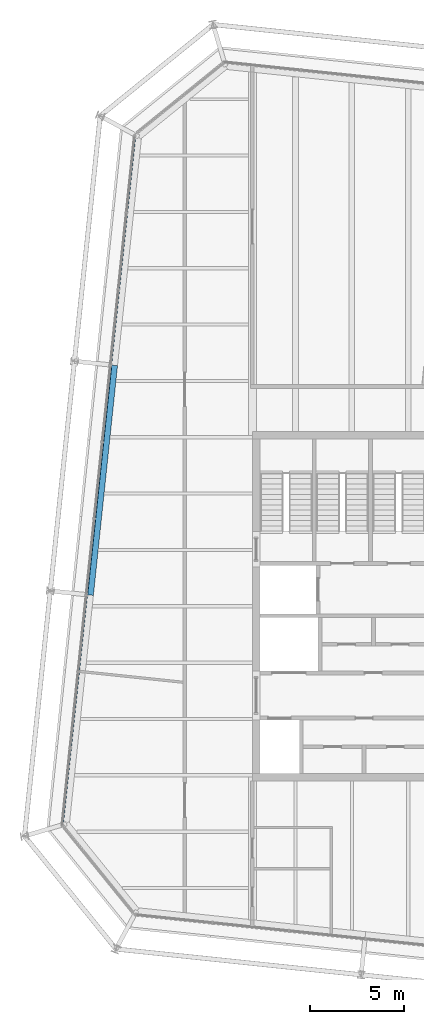
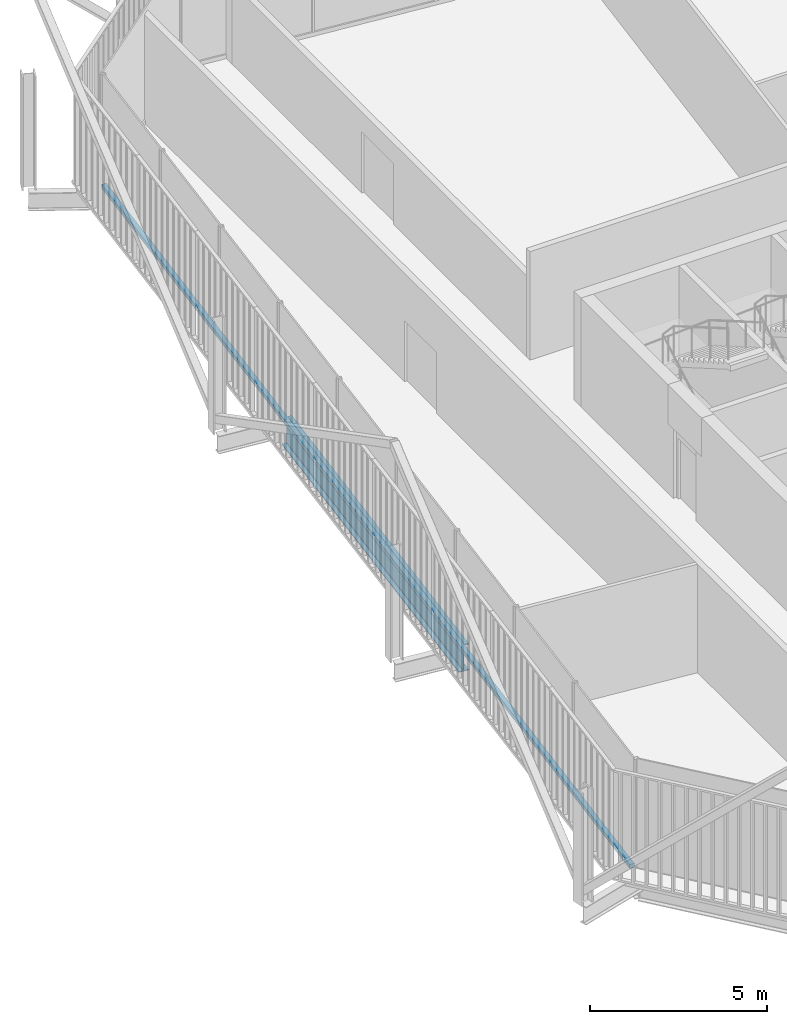
# One storey, part 7 of 21: 1 beam, 1 member, 1 element without a shape of its own.
"""IFC4 building model written with IfcOpenShell, lengths in metres."""

import ifcopenshell
import ifcopenshell.guid

model = None  # the IFC model being written
_history = None  # IfcOwnerHistory: only IFC2X3 demands one
_inside = {}  # id of a spatial element -> (the spatial element, [elements in it])
_under = {}  # id of a project, library or spatial element -> (it, [spatial elements below it])
_declared = {}  # id of a project -> (the project, [libraries it declares])
_typed = {}  # id of a type object -> (the type object, [elements of that type])
_made_of = {}  # id of a material, layer set ... -> (it, [elements and type objects made of it])


def new_model(schema):
    """Start an empty IFC model of exactly this schema.

    Asked for "IFC4X3", IfcOpenShell would pick the latest addendum, in which some entities
    have other attributes; the version numbers below select the first issue.
    IFC2X3 requires an IfcOwnerHistory on every rooted entity: one is made here for all.
    """
    global model, _history
    if schema == "IFC4X3":
        model = ifcopenshell.file(schema_version=(4, 3, 0, 0))
    else:
        model = ifcopenshell.file(schema=schema)
    _inside.clear()
    _under.clear()
    _declared.clear()
    _typed.clear()
    _made_of.clear()
    _history = None
    if model.schema == "IFC2X3":
        org = make("IfcOrganization", Name="unknown")
        user = make(
            "IfcPersonAndOrganization",
            ThePerson=make("IfcPerson", FamilyName="unknown"),
            TheOrganization=org,
        )
        app = make(
            "IfcApplication",
            ApplicationDeveloper=org,
            Version="unknown",
            ApplicationFullName="unknown",
            ApplicationIdentifier="unknown",
        )
        _history = make(
            "IfcOwnerHistory",
            OwningUser=user,
            OwningApplication=app,
            ChangeAction="ADDED",
            CreationDate=0,
        )
    return model


def make(cls, **values):
    """One entity of the class cls with the attributes given. An attribute that is None is left unset."""
    return model.create_entity(
        cls, **{name: value for name, value in values.items() if value is not None}
    )


def rooted(cls, **values):
    """An entity with a GlobalId (a new one), such as an element, a storey or a relation."""
    return make(cls, GlobalId=ifcopenshell.guid.new(), OwnerHistory=_history, **values)


def si_unit(unit_type, name, prefix=None):
    """IfcSIUnit, for example si_unit("LENGTHUNIT", "METRE", prefix="MILLI")."""
    return make("IfcSIUnit", UnitType=unit_type, Prefix=prefix, Name=name)


def assignment(units):
    """IfcUnitAssignment: the units of a project."""
    return None if units is None else make("IfcUnitAssignment", Units=units)


def point(xyz):
    """IfcCartesianPoint."""
    return None if xyz is None else make("IfcCartesianPoint", Coordinates=xyz)


def direction(xyz):
    """IfcDirection."""
    return None if xyz is None else make("IfcDirection", DirectionRatios=xyz)


def frame(location, z_axis=None, x_axis=None):
    """IfcAxis2Placement3D, a coordinate frame: its origin and axes. An axis left out is left unset."""
    return make(
        "IfcAxis2Placement3D",
        Location=point(location),
        Axis=direction(z_axis),
        RefDirection=direction(x_axis),
    )


def frame_2d(location, x_axis=None):
    """IfcAxis2Placement2D, a coordinate frame in the plane: its origin and x axis."""
    return make(
        "IfcAxis2Placement2D", Location=point(location), RefDirection=direction(x_axis)
    )


def origin():
    """The frame at (0, 0, 0) with its axes left unset."""
    return frame((0.0, 0.0, 0.0))


def origin_2d():
    """The frame at (0, 0) in the plane with its x axis left unset."""
    return frame_2d((0.0, 0.0))


def place(relative_to, where):
    """IfcLocalPlacement: puts the frame where relative to a parent placement (None: the world)."""
    return make(
        "IfcLocalPlacement", PlacementRelTo=relative_to, RelativePlacement=where
    )


def context(
    kind, dimensions, precision=None, world=None, true_north=None, identifier=None
):
    """IfcGeometricRepresentationContext, for example the 3D "Model" context."""
    return make(
        "IfcGeometricRepresentationContext",
        ContextIdentifier=identifier,
        ContextType=kind,
        CoordinateSpaceDimension=dimensions,
        Precision=precision,
        WorldCoordinateSystem=world,
        TrueNorth=true_north,
    )


def subcontext(parent, identifier, kind, view, scale=None):
    """IfcGeometricRepresentationSubContext, for example "Body" below "Model"."""
    return make(
        "IfcGeometricRepresentationSubContext",
        ContextIdentifier=identifier,
        ContextType=kind,
        ParentContext=parent,
        TargetScale=scale,
        TargetView=view,
    )


def project(units=None, contexts=None):
    """IfcProject with its units and contexts."""
    return rooted(
        "IfcProject",
        Name="project",
        RepresentationContexts=contexts,
        UnitsInContext=assignment(units),
    )


def spatial(cls, under=None, at=None, **own):
    """A site, building, storey or space (cls), placed at a placement, below another one or the project."""
    s = rooted(cls, ObjectPlacement=at, **own)
    if under is not None:
        _under.setdefault(under.id(), (under, []))[1].append(s)
    return s


def profile(cls, at=None, kind="AREA", **sizes):
    """A parametric profile (cls). Its sizes go by their IFC names, for example OverallWidth=200.0."""
    return make(cls, ProfileType=kind, Position=at, **sizes)


def rectangle(**sizes):
    """IfcRectangleProfileDef."""
    return profile("IfcRectangleProfileDef", **sizes)


def i_section(**sizes):
    """IfcIShapeProfileDef."""
    return profile("IfcIShapeProfileDef", **sizes)


def extrude(swept, where, along, depth):
    """IfcExtrudedAreaSolid: the profile swept, set in the frame where, extruded along a direction by depth."""
    return make(
        "IfcExtrudedAreaSolid",
        SweptArea=swept,
        Position=where,
        ExtrudedDirection=direction(along),
        Depth=depth,
    )


def shape(context_of_items, identifier, shape_type, items):
    """IfcShapeRepresentation: the items that make up one representation, for example the "Body"."""
    return make(
        "IfcShapeRepresentation",
        ContextOfItems=context_of_items,
        RepresentationIdentifier=identifier,
        RepresentationType=shape_type,
        Items=items,
    )


def material(Name=None, Category=None):
    """IfcMaterial."""
    return make("IfcMaterial", Name=Name, Category=Category)


def layer(
    of_material, thickness, ventilated=None, Name=None, Category=None, Priority=None
):
    """IfcMaterialLayer: one layer of a wall or slab, of a material (None: an air gap)."""
    return make(
        "IfcMaterialLayer",
        Material=of_material,
        LayerThickness=thickness,
        IsVentilated=ventilated,
        Name=Name,
        Category=Category,
        Priority=Priority,
    )


def layer_set(layers, Name=None):
    """IfcMaterialLayerSet."""
    return make("IfcMaterialLayerSet", MaterialLayers=layers, LayerSetName=Name)


def material_profile(
    of_material, cross_section, Name=None, Category=None, Priority=None
):
    """IfcMaterialProfile: a cross section and its material."""
    return make(
        "IfcMaterialProfile",
        Name=Name,
        Material=of_material,
        Profile=cross_section,
        Priority=Priority,
        Category=Category,
    )


def profile_set(profiles, Name=None, composite=None):
    """IfcMaterialProfileSet."""
    return make(
        "IfcMaterialProfileSet",
        Name=Name,
        MaterialProfiles=profiles,
        CompositeProfile=composite,
    )


def made_of(thing, what):
    """Note that an element or type object is made of a material, layer set ...; save() writes the relation."""
    if what is not None:
        _made_of.setdefault(what.id(), (what, []))[1].append(thing)
    return thing


def type_object(cls, material=None, **own):
    """A type object (cls), such as IfcWallType, which elements share."""
    return made_of(rooted(cls, **own), material)


def element(
    cls,
    number,
    at=None,
    inside=None,
    cuts=None,
    type_object=None,
    material=None,
    context=None,
    identifier="Body",
    shape_type=None,
    held_by="IfcProductDefinitionShape",
    body=None,
    shapes=None,
    **own,
):
    """One element of the class cls, such as IfcWall. Its Tag is "e" and its number.

    at: its placement. inside: the storey or other place that contains it. cuts: it is an
    opening in that element (IfcRelVoidsElement). A single representation is given by context,
    identifier, shape_type and body (its items); several are given by shapes. held_by: the class
    of the entity that holds the representations. save() writes the other relations.
    """
    e = rooted(cls, Tag="e%d" % number, ObjectPlacement=at, **own)
    if body is not None:
        shapes = [shape(context, identifier, shape_type, body)]
    if shapes is not None:
        e.Representation = make(held_by, Representations=shapes)
    if inside is not None:
        _inside.setdefault(inside.id(), (inside, []))[1].append(e)
    if cuts is not None:
        rooted(
            "IfcRelVoidsElement", RelatingBuildingElement=cuts, RelatedOpeningElement=e
        )
    if type_object is not None:
        _typed.setdefault(type_object.id(), (type_object, []))[1].append(e)
    return made_of(e, material)


def aggregate(whole, parts):
    """IfcRelAggregates: a whole, such as a stair, and the parts it consists of."""
    return rooted("IfcRelAggregates", RelatingObject=whole, RelatedObjects=parts)


def save(model, path):
    """Write the relations noted so far, then the file.

    IfcRelAggregates (storeys below a building ...), IfcRelContainedInSpatialStructure (elements
    in a storey), IfcRelDefinesByType, IfcRelAssociatesMaterial and IfcRelDeclares: one each for
    every whole, place, type object, material and project.
    """
    for whole, parts in _under.values():
        aggregate(whole, parts)
    for where, things in _inside.values():
        rooted(
            "IfcRelContainedInSpatialStructure",
            RelatedElements=things,
            RelatingStructure=where,
        )
    for kind, things in _typed.values():
        rooted("IfcRelDefinesByType", RelatedObjects=things, RelatingType=kind)
    for what, things in _made_of.values():
        rooted("IfcRelAssociatesMaterial", RelatedObjects=things, RelatingMaterial=what)
    for by, libraries in _declared.values():
        rooted("IfcRelDeclares", RelatingContext=by, RelatedDefinitions=libraries)
    model.write(path)


model = new_model("IFC4")

# Units and contexts
model_context = context("Model", 3, precision=1e-05, world=origin(), true_north=direction((0.0, 1.0)))
body_context = subcontext(model_context, "Body", "Model", "MODEL_VIEW")
ifc_project = project(units=[si_unit("LENGTHUNIT", "METRE"), si_unit("AREAUNIT", "SQUARE_METRE"), si_unit("VOLUMEUNIT", "CUBIC_METRE"), si_unit("PLANEANGLEUNIT", "RADIAN"), si_unit("MASSUNIT", "GRAM", prefix="KILO")], contexts=[model_context])

# Site, building, storey
site_placement = place(None, origin())
site = spatial("IfcSite", under=ifc_project, at=site_placement, CompositionType="ELEMENT")
building_placement = place(site_placement, origin())
building = spatial("IfcBuilding", under=site, at=building_placement, Name="Millrace Tower", CompositionType="ELEMENT")
storey_placement = place(building_placement, frame((0.0, 0.0, 326.5)))
storey = spatial("IfcBuildingStorey", under=building, at=storey_placement, Name="L75", CompositionType="ELEMENT", Elevation=326.5)

# Curtain wall, member
ifc_material_1 = material(Name="Aluminium and glass", Category="aluminium")
ifc_layer = layer(ifc_material_1, 0.14990234375)
ifc_layer_set = layer_set([ifc_layer], Name="Aluminium and glass")
curtain_wall_type = type_object("IfcCurtainWallType", Name="CW-1 office vision curtain wall", PredefinedType="NOTDEFINED", material=ifc_layer_set)
curtain_wall_placement = place(storey_placement, origin())
curtain_wall = element("IfcCurtainWall", 1, at=curtain_wall_placement, inside=storey, type_object=curtain_wall_type, Name="Curtain wall E-F08 L75", PredefinedType="NOTDEFINED")
ifc_material_2 = material(Name="Aluminium", Category="aluminium")
ifc_material_profile_1 = material_profile(ifc_material_2, rectangle(XDim=0.14990234375, YDim=0.139892578125, at=origin_2d()))
ifc_profile_set_1 = profile_set([ifc_material_profile_1], Name="Aluminium")
member_type = type_object("IfcMemberType", Name="CW-1 office vision curtain wall transom", PredefinedType="USERDEFINED", material=ifc_profile_set_1)
member_placement = place(storey_placement, frame((-20.581787109375, 24.9853515625, 0.070068359375), z_axis=(-0.104527916025, -0.994521952886, 0.0), x_axis=(0.994521952886, -0.104527916025, 0.0)))
member = element("IfcMember", 2, at=member_placement, type_object=member_type, Name="CW1 transom E-F08.1", ObjectType="TRANSOM", PredefinedType="USERDEFINED", context=body_context, shape_type="SweptSolid", body=[
    extrude(rectangle(XDim=0.14990234375, YDim=0.139892578125, at=origin_2d()), origin(), (0.0, 0.0, 1.0), 36.699951171875),
])
aggregate(curtain_wall, [member])

# Beam
ifc_material_3 = material(Name="Steel ASTM A992 Grade 50", Category="steel")
ifc_material_profile_2 = material_profile(ifc_material_3, i_section(OverallWidth=0.307373046875, OverallDepth=0.927001953125, WebThickness=0.01953125, FlangeThickness=0.031982421875, FilletRadius=0.01904296875, at=origin_2d()))
ifc_profile_set_2 = profile_set([ifc_material_profile_2], Name="Steel ASTM A992 Grade 50")
beam_type = type_object("IfcBeamType", Name="Ring beam medium span W36x194", PredefinedType="SPANDREL", material=ifc_profile_set_2)
beam_placement = place(storey_placement, frame((-22.915283203125, 0.595703125, -0.62353515625), z_axis=(0.104523600289, 0.994522406476, 0.0), x_axis=(-0.994522406476, 0.104523600289, 0.0)))
element("IfcBeam", 3, at=beam_placement, inside=storey, type_object=beam_type, Name="RNG-E-L75-S1-02", PredefinedType="SPANDREL", context=body_context, shape_type="SweptSolid", body=[
    extrude(i_section(OverallWidth=0.307373046875, OverallDepth=0.927001953125, WebThickness=0.01953125, FlangeThickness=0.031982421875, FilletRadius=0.01904296875, at=origin_2d()), origin(), (0.0, 0.0, 1.0), 12.300048828125),
])

save(model, "model.ifc")
